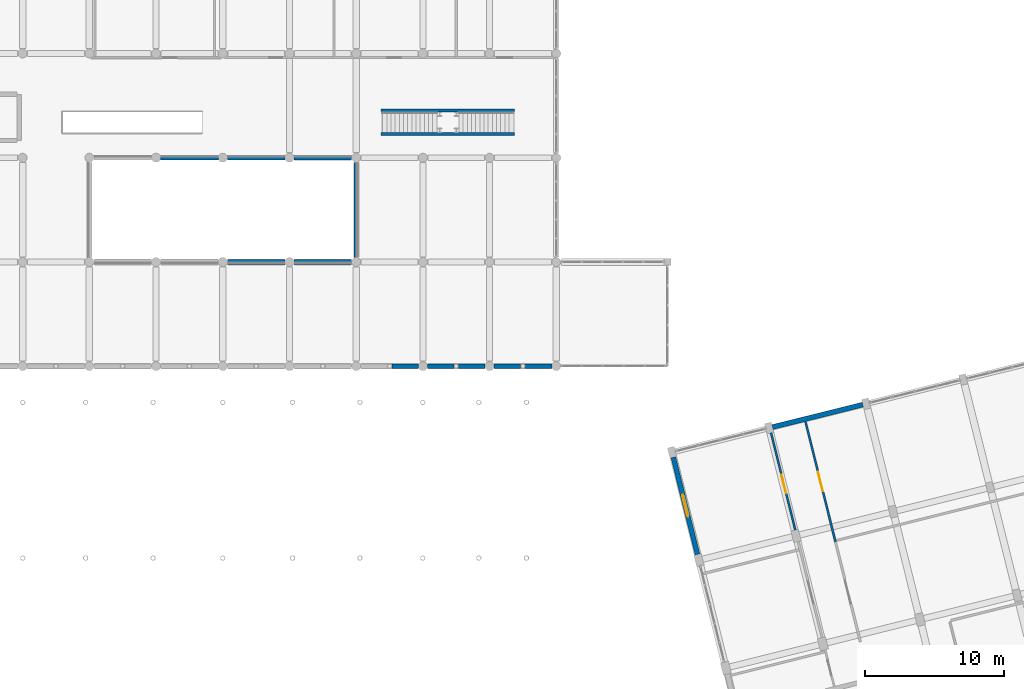
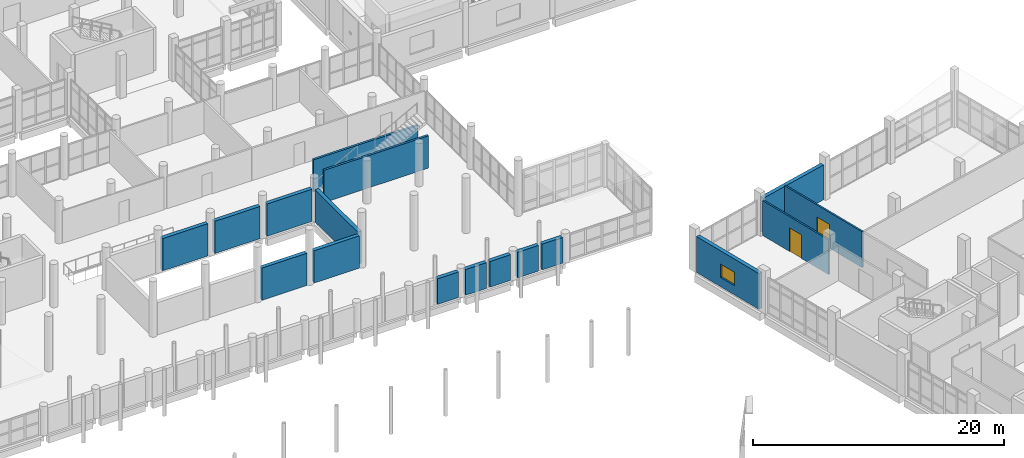
# One storey, part 143 of 164: 17 walls, 2 doors, 1 window, 3 openings.
"""IFC4 building model written with IfcOpenShell, lengths in metres."""

from ifc_helpers import new_model, si_unit, direction, frame, frame_2d, origin, place, context, subcontext, project, spatial, rectangle, extrude, material, layer, layer_set, type_object, element, fill, save


model = new_model("IFC4")

# Units and contexts
model_context = context("Model", 3, precision=1e-05, world=origin(), true_north=direction((0.0, 1.0)))
body_context = subcontext(model_context, "Body", "Model", "MODEL_VIEW")
ifc_project = project(units=[si_unit("LENGTHUNIT", "METRE"), si_unit("AREAUNIT", "SQUARE_METRE"), si_unit("VOLUMEUNIT", "CUBIC_METRE"), si_unit("PLANEANGLEUNIT", "RADIAN"), si_unit("MASSUNIT", "GRAM", prefix="KILO")], contexts=[model_context])

# Site, building, storey
site_placement = place(None, origin())
site = spatial("IfcSite", under=ifc_project, at=site_placement, CompositionType="ELEMENT")
building_placement = place(site_placement, origin())
building = spatial("IfcBuilding", under=site, at=building_placement, Name="Mawjan Specialist Oncology Clinic", CompositionType="ELEMENT")
storey_placement = place(building_placement, frame((0.0, 0.0, 5.0)))
storey = spatial("IfcBuildingStorey", under=building, at=storey_placement, Name="L01", CompositionType="ELEMENT", Elevation=5.0)

# Wall, opening, window
ifc_material_1 = material(Name="Precast concrete C40/50", Category="concrete")
ifc_layer_1 = layer(ifc_material_1, 0.35009765625, Name="Precast concrete C40/50", Category="concrete")
ifc_layer_set_1 = layer_set([ifc_layer_1], Name="Precast concrete C40/50")
wall_type_1 = type_object("IfcWallType", Name="EW-350", PredefinedType="SOLIDWALL", material=ifc_layer_set_1)
wall_1_placement = place(storey_placement, frame((118.15576171875, 32.26171875, 0.0), z_axis=(0.0, 0.0, 1.0), x_axis=(-0.241929233735, 0.970293896644, 0.0)))
wall_1 = element("IfcWall", 1, at=wall_1_placement, inside=storey, type_object=wall_type_1, Name="L01 Coral-Limestone Exterior Wall EW-L01-079", PredefinedType="SOLIDWALL", context=body_context, shape_type="SweptSolid", body=[
    extrude(rectangle(XDim=7.2001953125, YDim=0.35009765625, at=frame_2d((3.60009765625, 0.0))), origin(), (0.0, 0.0, 1.0), 3.485107421875),
])
opening_1_placement = place(wall_1_placement, frame((2.800048828125, 0.0, 0.89990234375)))
opening_1 = element("IfcOpeningElement", 2, at=opening_1_placement, cuts=wall_1, Name="Opening WN-17", PredefinedType="OPENING", context=body_context, shape_type="SweptSolid", body=[
    extrude(rectangle(XDim=1.60009765625, YDim=1.300048828125, at=frame_2d((0.800048828125, 0.64990234375))), frame((0.0, 0.18701171875, 0.0), z_axis=(0.0, -1.0, 0.0), x_axis=(1.0, 0.0, 0.0)), (0.0, 0.0, 1.0), 0.3740234375),
])
ifc_material_2 = material(Name="Thermally broken low-E clinical aluminium window", Category="aluminium")
window_type = type_object("IfcWindowType", Name="WN-17", PartitioningType="DOUBLE_PANEL_VERTICAL", PredefinedType="WINDOW", material=ifc_material_2)
window_placement = place(opening_1_placement, origin())
window = element("IfcWindow", 3, at=window_placement, inside=storey, type_object=window_type, Name="L01 Clinical Low-E Window 013", OverallHeight=1.300048828125, OverallWidth=1.60009765625, PartitioningType="DOUBLE_PANEL_VERTICAL", PredefinedType="WINDOW", context=body_context, shape_type="SweptSolid", body=[
    extrude(rectangle(XDim=1.60009765625, YDim=1.300048828125, at=frame_2d((0.800048828125, 0.64990234375))), frame((0.0, 0.030029296875, 0.0), z_axis=(0.0, -1.0, 0.0), x_axis=(1.0, 0.0, 0.0)), (0.0, 0.0, 1.0), 0.06005859375),
])
fill(opening_1, window)

# Walls
wall_2_placement = place(storey_placement, frame((123.5517578125, 41.4140625, 0.0), z_axis=(0.0, 0.0, 1.0), x_axis=(0.970296633454, 0.241918257079, 0.0)))
element("IfcWall", 4, at=wall_2_placement, inside=storey, type_object=wall_type_1, Name="L01 Coral-Limestone Exterior Wall EW-L01-080", PredefinedType="SOLIDWALL", context=body_context, shape_type="SweptSolid", body=[
    extrude(rectangle(XDim=6.699951171875, YDim=0.35009765625, at=frame_2d((3.35009765625, 0.0))), origin(), (0.0, 0.0, 1.0), 3.385009765625),
])
for number, where, z_axis, x_axis, name in (
    (5, (107.675048828125, 45.800048828125, 0.0), (0.0, 0.0, 1.0), (-1.0, 0.0, 0.0), "L01 Coral-Limestone Exterior Wall EW-L01-091"),
    (6, (105.43798828125, 45.800048828125, 0.0), (0.0, 0.0, 1.0), (-1.0, 0.0, 0.0), "L01 Coral-Limestone Exterior Wall EW-L01-092"),
    (7, (102.875, 45.800048828125, 0.0), (0.0, 0.0, 1.0), (-1.0, 0.0, 0.0), "L01 Coral-Limestone Exterior Wall EW-L01-093"),
):
    element("IfcWall", number, at=place(storey_placement, frame(where, z_axis=z_axis, x_axis=x_axis)), inside=storey, type_object=wall_type_1, Name=name, PredefinedType="SOLIDWALL", context=body_context, shape_type="SweptSolid", body=[
        extrude(rectangle(XDim=1.9130859375, YDim=0.35009765625, at=frame_2d((0.95654296875, 0.0))), origin(), (0.0, 0.0, 1.0), 2.5),
    ])
for number, where, z_axis, x_axis, name in (
    (8, (100.637939453125, 45.800048828125, 0.0), (0.0, 0.0, 1.0), (-1.0, 0.0, 0.0), "L01 Coral-Limestone Exterior Wall EW-L01-094"),
    (9, (98.074951171875, 45.800048828125, 0.0), (0.0, 0.0, 1.0), (-1.0, 0.0, 0.0), "L01 Coral-Limestone Exterior Wall EW-L01-095"),
):
    element("IfcWall", number, at=place(storey_placement, frame(where, z_axis=z_axis, x_axis=x_axis)), inside=storey, type_object=wall_type_1, Name=name, PredefinedType="SOLIDWALL", context=body_context, shape_type="SweptSolid", body=[
        extrude(rectangle(XDim=1.912841796875, YDim=0.35009765625, at=frame_2d((0.95654296875, 0.0))), origin(), (0.0, 0.0, 1.0), 2.5),
    ])
wall_3_placement = place(storey_placement, frame((84.324951171875, 53.300048828125, 0.0), z_axis=(0.0, 0.0, 1.0), x_axis=(1.0, 0.0, 0.0)))
element("IfcWall", 10, at=wall_3_placement, inside=storey, type_object=wall_type_1, Name="L01 Coral-Limestone Exterior Wall EW-L01-123", PredefinedType="SOLIDWALL", context=body_context, shape_type="SweptSolid", body=[
    extrude(rectangle(XDim=4.150146484375, YDim=0.35009765625, at=frame_2d((2.0751953125, 0.0))), origin(), (0.0, 0.0, 1.0), 3.139892578125),
])
wall_4_placement = place(storey_placement, frame((89.125, 53.300048828125, 0.0), z_axis=(0.0, 0.0, 1.0), x_axis=(1.0, 0.0, 0.0)))
element("IfcWall", 11, at=wall_4_placement, inside=storey, type_object=wall_type_1, Name="L01 Coral-Limestone Exterior Wall EW-L01-124", PredefinedType="SOLIDWALL", context=body_context, shape_type="SweptSolid", body=[
    extrude(rectangle(XDim=4.14990234375, YDim=0.35009765625, at=frame_2d((2.074951171875, 0.0))), origin(), (0.0, 0.0, 1.0), 3.139892578125),
])
wall_5_placement = place(storey_placement, frame((93.60009765625, 53.625, 0.0), z_axis=(0.0, 0.0, 1.0), x_axis=(0.0, 1.0, 0.0)))
element("IfcWall", 12, at=wall_5_placement, inside=storey, type_object=wall_type_1, Name="L01 Coral-Limestone Exterior Wall EW-L01-125", PredefinedType="SOLIDWALL", context=body_context, shape_type="SweptSolid", body=[
    extrude(rectangle(XDim=6.85009765625, YDim=0.35009765625, at=frame_2d((3.425048828125, 0.0))), origin(), (0.0, 0.0, 1.0), 3.139892578125),
])
wall_6_placement = place(storey_placement, frame((93.27490234375, 60.800048828125, 0.0), z_axis=(0.0, 0.0, 1.0), x_axis=(-1.0, 0.0, 0.0)))
element("IfcWall", 13, at=wall_6_placement, inside=storey, type_object=wall_type_1, Name="L01 Coral-Limestone Exterior Wall EW-L01-126", PredefinedType="SOLIDWALL", context=body_context, shape_type="SweptSolid", body=[
    extrude(rectangle(XDim=4.14990234375, YDim=0.35009765625, at=frame_2d((2.074951171875, 0.0))), origin(), (0.0, 0.0, 1.0), 3.139892578125),
])
for number, where, z_axis, x_axis, name in (
    (14, (88.47509765625, 60.800048828125, 0.0), (0.0, 0.0, 1.0), (-1.0, 0.0, 0.0), "L01 Coral-Limestone Exterior Wall EW-L01-127"),
    (15, (83.675048828125, 60.800048828125, 0.0), (0.0, 0.0, 1.0), (-1.0, 0.0, 0.0), "L01 Coral-Limestone Exterior Wall EW-L01-128"),
):
    element("IfcWall", number, at=place(storey_placement, frame(where, z_axis=z_axis, x_axis=x_axis)), inside=storey, type_object=wall_type_1, Name=name, PredefinedType="SOLIDWALL", context=body_context, shape_type="SweptSolid", body=[
        extrude(rectangle(XDim=4.150146484375, YDim=0.35009765625, at=frame_2d((2.0751953125, 0.0))), origin(), (0.0, 0.0, 1.0), 3.139892578125),
    ])

# Wall, opening, door
ifc_material_3 = material(Name="Acoustic gypsum clinical partition", Category="gypsum")
ifc_layer_2 = layer(ifc_material_3, 0.14990234375, Name="Acoustic gypsum clinical partition", Category="gypsum")
ifc_layer_set_2 = layer_set([ifc_layer_2], Name="Acoustic gypsum clinical partition")
wall_type_2 = type_object("IfcWallType", Name="WP-150", PredefinedType="PARTITIONING", material=ifc_layer_set_2)
wall_7_placement = place(storey_placement, frame((125.27978515625, 33.65673828125, 0.0), z_axis=(0.0, 0.0, 1.0), x_axis=(-0.241913572398, 0.970297801445, 0.0)))
wall_7 = element("IfcWall", 16, at=wall_7_placement, inside=storey, type_object=wall_type_2, Name="L01 Interior Partition W-RINT-L01-RNW2-E", PredefinedType="PARTITIONING", context=body_context, shape_type="SweptSolid", body=[
    extrude(rectangle(XDim=7.572998046875, YDim=0.14990234375, at=frame_2d((3.78662109375, 0.0))), origin(), (0.0, 0.0, 1.0), 3.385009765625),
])
opening_2_placement = place(wall_7_placement, frame((3.096435546875, 0.0, 0.0)))
opening_2 = element("IfcOpeningElement", 17, at=opening_2_placement, cuts=wall_7, Name="Opening DM-MRI", PredefinedType="OPENING", context=body_context, shape_type="SweptSolid", body=[
    extrude(rectangle(XDim=1.3798828125, YDim=2.300048828125, at=frame_2d((0.68994140625, 1.14990234375))), frame((0.0, 0.0869140625, 0.0), z_axis=(0.0, -1.0, 0.0), x_axis=(1.0, 0.0, 0.0)), (0.0, 0.0, 1.0), 0.173828125),
])
ifc_material_4 = material(Name="Acoustic laminate hospital door leaf", Category="wood")
door_type_1 = type_object("IfcDoorType", Name="DM-MRI", OperationType="NOTDEFINED", PredefinedType="DOOR", material=ifc_material_4)
door_1_placement = place(opening_2_placement, origin())
door_1 = element("IfcDoor", 18, at=door_1_placement, inside=storey, type_object=door_type_1, Name="L01 Translational Biomarker Assay Lab Door", OperationType="SINGLE_SWING_LEFT", OverallHeight=2.300048828125, OverallWidth=1.3798828125, PredefinedType="DOOR", context=body_context, shape_type="SweptSolid", body=[
    extrude(rectangle(XDim=1.3798828125, YDim=2.300048828125, at=frame_2d((0.68994140625, 1.14990234375))), frame((0.0, 0.02490234375, 0.0), z_axis=(0.0, -1.0, 0.0), x_axis=(1.0, 0.0, 0.0)), (0.0, 0.0, 1.0), 0.050048828125),
])
fill(opening_2, door_1)

wall_8_placement = place(storey_placement, frame((128.080078125, 33.172607421875, 0.0), z_axis=(0.0, 0.0, 1.0), x_axis=(-0.241916302916, 0.970297120672, 0.0)))
wall_8 = element("IfcWall", 19, at=wall_8_placement, inside=storey, type_object=wall_type_2, Name="L01 Interior Partition W-RINT-L01-RNE2-W", PredefinedType="PARTITIONING", context=body_context, shape_type="SweptSolid", body=[
    extrude(rectangle(XDim=8.905029296875, YDim=0.14990234375, at=frame_2d((4.45263671875, 0.0))), origin(), (0.0, 0.0, 1.0), 3.485107421875),
])
opening_3_placement = place(wall_8_placement, frame((3.732666015625, 0.0, 0.0)))
opening_3 = element("IfcOpeningElement", 20, at=opening_3_placement, cuts=wall_8, Name="Opening DM-CT", PredefinedType="OPENING", context=body_context, shape_type="SweptSolid", body=[
    extrude(rectangle(XDim=1.43994140625, YDim=2.320068359375, at=frame_2d((0.719970703125, 1.16015625))), frame((0.0, 0.0869140625, 0.0), z_axis=(0.0, -1.0, 0.0), x_axis=(1.0, 0.0, 0.0)), (0.0, 0.0, 1.0), 0.173828125),
])
ifc_material_5 = material(Name="Acoustic laminate hospital door leaf", Category="wood")
door_type_2 = type_object("IfcDoorType", Name="DM-CT", OperationType="NOTDEFINED", PredefinedType="DOOR", material=ifc_material_5)
door_2_placement = place(opening_3_placement, origin())
door_2 = element("IfcDoor", 21, at=door_2_placement, inside=storey, type_object=door_type_2, Name="L01 Clinical Bioinformatics Research Suite Door", OperationType="SINGLE_SWING_RIGHT", OverallHeight=2.320068359375, OverallWidth=1.43994140625, PredefinedType="DOOR", context=body_context, shape_type="SweptSolid", body=[
    extrude(rectangle(XDim=1.43994140625, YDim=2.320068359375, at=frame_2d((0.719970703125, 1.16015625))), frame((0.0, 0.02490234375, 0.0), z_axis=(0.0, -1.0, 0.0), x_axis=(1.0, 0.0, 0.0)), (0.0, 0.0, 1.0), 0.050048828125),
])
fill(opening_3, door_2)

# Walls
ifc_material_6 = material(Name="Insulated fire-rated gypsum stud partition", Category="gypsum")
ifc_layer_3 = layer(ifc_material_6, 0.199951171875, Name="Insulated fire-rated gypsum stud partition", Category="gypsum")
ifc_layer_set_3 = layer_set([ifc_layer_3], Name="Insulated fire-rated gypsum stud partition")
wall_type_3 = type_object("IfcWallType", Name="WS-60", PredefinedType="PARTITIONING", material=ifc_layer_set_3)
for number, where, z_axis, x_axis, name in (
    (22, (95.39990234375, 62.5048828125, 0.0), (0.0, 0.0, 1.0), (1.0, 0.0, 0.0), "ST-13 Communicating Stair Flank Wall S"),
    (23, (95.39990234375, 64.195068359375, 0.0), (0.0, 0.0, 1.0), (1.0, 0.0, 0.0), "ST-13 Communicating Stair Flank Wall N"),
):
    element("IfcWall", number, at=place(storey_placement, frame(where, z_axis=z_axis, x_axis=x_axis)), inside=storey, type_object=wall_type_3, Name=name, PredefinedType="PARTITIONING", context=body_context, shape_type="SweptSolid", body=[
        extrude(rectangle(XDim=9.60009765625, YDim=0.199951171875, at=frame_2d((4.800048828125, 0.0))), origin(), (0.0, 0.0, 1.0), 3.139892578125),
    ])

save(model, "model.ifc")
